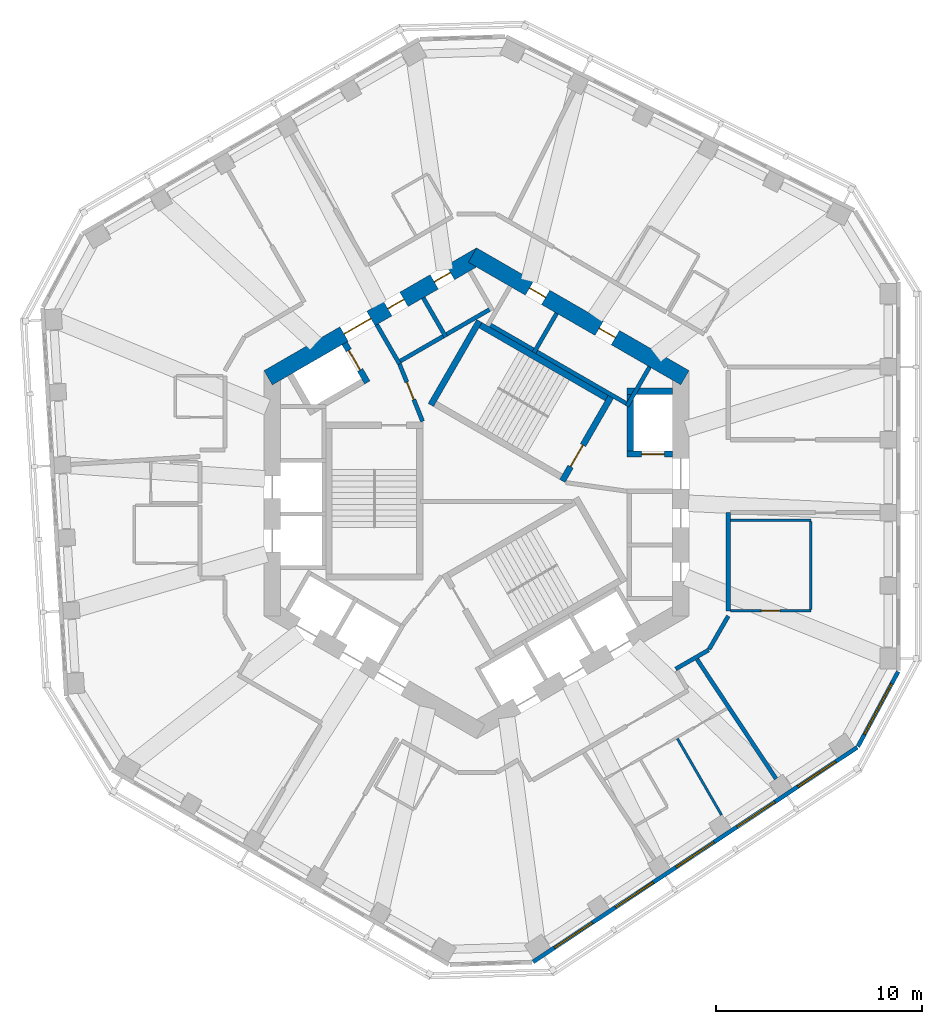
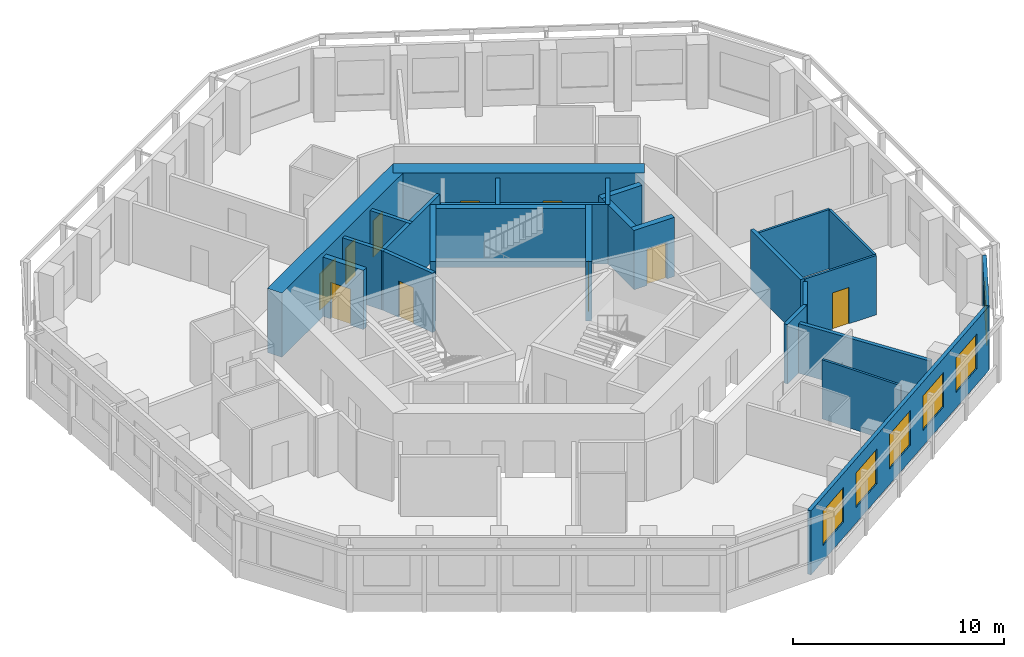
# One storey, part 6 of 11: 26 walls, 10 doors, 6 windows, 16 openings.
"""IFC4 building model written with IfcOpenShell, lengths in metres."""

from ifc_helpers import new_model, si_unit, direction, frame, frame_2d, origin, place, context, subcontext, project, spatial, rectangle, extrude, material, layer, layer_set, type_object, element, fill, save


model = new_model("IFC4")

# Units and contexts
model_context = context("Model", 3, precision=1e-05, world=origin(), true_north=direction((0.0, 1.0)))
body_context = subcontext(model_context, "Body", "Model", "MODEL_VIEW")
ifc_project = project(units=[si_unit("LENGTHUNIT", "METRE"), si_unit("AREAUNIT", "SQUARE_METRE"), si_unit("VOLUMEUNIT", "CUBIC_METRE"), si_unit("PLANEANGLEUNIT", "RADIAN"), si_unit("MASSUNIT", "GRAM", prefix="KILO")], contexts=[model_context])

# Site, building, storey
site_placement = place(None, origin())
site = spatial("IfcSite", under=ifc_project, at=site_placement, CompositionType="ELEMENT")
building_placement = place(site_placement, origin())
building = spatial("IfcBuilding", under=site, at=building_placement, Name="Vanh Sen Convention Tower", CompositionType="ELEMENT")
storey_placement = place(building_placement, frame((0.0, 0.0, 243.89990234375)))
storey = spatial("IfcBuildingStorey", under=building, at=storey_placement, Name="L60", CompositionType="ELEMENT", Elevation=243.89990234375)

# Walls
ifc_material_1 = material(Name="Moisture-resistant gypsum board on steel studs", Category="steel")
ifc_layer_1 = layer(ifc_material_1, 0.1201171875)
ifc_layer_set_1 = layer_set([ifc_layer_1], Name="Moisture-resistant gypsum board on steel studs")
wall_type_1 = type_object("IfcWallType", Name="Bathroom partition 120", PredefinedType="PARTITIONING", material=ifc_layer_set_1)
wall_1_placement = place(storey_placement, frame((11.8701171875, -15.587890625, 0.0), z_axis=(0.0, 0.0, 1.0), x_axis=(-0.49999774064, 0.866026708223, 0.0)))
element("IfcWall", 1, at=wall_1_placement, inside=storey, type_object=wall_type_1, Name="Bathroom partition 120", PredefinedType="PARTITIONING", context=body_context, shape_type="SweptSolid", body=[
    extrude(rectangle(XDim=4.2734375, YDim=0.1201171875, at=frame_2d((2.13671875, 0.0))), origin(), (0.0, 0.0, 1.0), 3.420166015625),
])
wall_2_placement = place(storey_placement, frame((12.300048828125, -1.296630859375, 0.0), z_axis=(0.0, 0.0, 1.0), x_axis=(1.0, 0.0, 0.0)))
element("IfcWall", 2, at=wall_2_placement, inside=storey, type_object=wall_type_1, Name="Bathroom partition 120", PredefinedType="PARTITIONING", context=body_context, shape_type="SweptSolid", body=[
    extrude(rectangle(XDim=3.89990234375, YDim=0.1201171875, at=frame_2d((1.949951171875, 0.0))), origin(), (0.0, 0.0, 1.0), 3.420166015625),
])

# Wall, opening, door
wall_3_placement = place(storey_placement, frame((16.199951171875, -5.69677734375, 0.0), z_axis=(0.0, 0.0, 1.0), x_axis=(-1.0, 0.0, 0.0)))
wall_3 = element("IfcWall", 3, at=wall_3_placement, inside=storey, type_object=wall_type_1, Name="Bathroom partition 120", PredefinedType="PARTITIONING", context=body_context, shape_type="SweptSolid", body=[
    extrude(rectangle(XDim=3.89990234375, YDim=0.1201171875, at=frame_2d((1.949951171875, 0.0))), origin(), (0.0, 0.0, 1.0), 3.420166015625),
])
opening_1_placement = place(wall_3_placement, frame((1.5, 0.0, 0.0)))
opening_1 = element("IfcOpeningElement", 4, at=opening_1_placement, cuts=wall_3, Name="Opening D59119", PredefinedType="OPENING", context=body_context, shape_type="SweptSolid", body=[
    extrude(rectangle(XDim=0.89990234375, YDim=2.10009765625, at=frame_2d((0.449951171875, 1.050048828125))), frame((0.0, 0.070068359375, 0.0), z_axis=(0.0, -1.0, 0.0), x_axis=(1.0, 0.0, 0.0)), (0.0, 0.0, 1.0), 0.14013671875),
])
ifc_material_2 = material(Name="Laminate door in steel frame", Category="steel")
door_type_1 = type_object("IfcDoorType", Name="Room internal door 900", OperationType="SINGLE_SWING_LEFT", PredefinedType="DOOR", material=ifc_material_2)
door_1_placement = place(opening_1_placement, origin())
door_1 = element("IfcDoor", 5, at=door_1_placement, inside=storey, type_object=door_type_1, Name="Internal room door D59119", OperationType="SINGLE_SWING_LEFT", OverallHeight=2.10009765625, OverallWidth=0.89990234375, PredefinedType="DOOR", context=body_context, shape_type="SweptSolid", body=[
    extrude(rectangle(XDim=0.89990234375, YDim=2.10009765625, at=frame_2d((0.449951171875, 1.050048828125))), frame((0.0, 0.02490234375, 0.0), z_axis=(0.0, -1.0, 0.0), x_axis=(1.0, 0.0, 0.0)), (0.0, 0.0, 1.0), 0.050048828125),
])
fill(opening_1, door_1)

# Wall
wall_4_placement = place(storey_placement, frame((16.199951171875, -1.356689453125, 0.0), z_axis=(0.0, 0.0, 1.0), x_axis=(0.0, -1.0, 0.0)))
element("IfcWall", 6, at=wall_4_placement, inside=storey, type_object=wall_type_1, Name="Bathroom partition 120", PredefinedType="PARTITIONING", context=body_context, shape_type="SweptSolid", body=[
    extrude(rectangle(XDim=4.280029296875, YDim=0.1201171875, at=frame_2d((2.14013671875, 0.0))), origin(), (0.0, 0.0, 1.0), 3.420166015625),
])

# Wall, openings, doors
ifc_material_3 = material(Name="Concrete C60/75", Category="concrete")
ifc_layer_2 = layer(ifc_material_3, 0.800048828125)
ifc_layer_set_2 = layer_set([ifc_layer_2], Name="Concrete C60/75")
wall_type_2 = type_object("IfcWallType", Name="Core outer wall 800 C60/75", PredefinedType="SHEAR", material=ifc_layer_set_2)
wall_5_placement = place(storey_placement, frame((10.10009765625, 5.600341796875, 0.0), z_axis=(0.0, 0.0, 1.0), x_axis=(-0.866023897231, 0.500002609418, 0.0)))
wall_5 = element("IfcWall", 7, at=wall_5_placement, inside=storey, type_object=wall_type_2, Name="Core wall face NE L60", PredefinedType="SHEAR", context=body_context, shape_type="SweptSolid", body=[
    extrude(rectangle(XDim=11.8935546875, YDim=0.800048828125, at=frame_2d((5.94677734375, 0.0))), origin(), (0.0, 0.0, 1.0), 3.7001953125),
])
opening_2_placement = place(wall_5_placement, frame((3.896728515625, 0.0, 0.0)))
opening_2 = element("IfcOpeningElement", 8, at=opening_2_placement, cuts=wall_5, Name="Opening D59011", PredefinedType="OPENING", context=body_context, shape_type="SweptSolid", body=[
    extrude(rectangle(XDim=0.89990234375, YDim=2.10009765625, at=frame_2d((0.449951171875, 1.050048828125))), frame((0.0, 0.409912109375, 0.0), z_axis=(0.0, -1.0, 0.0), x_axis=(1.0, 0.0, 0.0)), (0.0, 0.0, 1.0), 0.820068359375),
])
opening_3_placement = place(wall_5_placement, frame((7.796630859375, 0.0, 0.0)))
opening_3 = element("IfcOpeningElement", 9, at=opening_3_placement, cuts=wall_5, Name="Opening D59012", PredefinedType="OPENING", context=body_context, shape_type="SweptSolid", body=[
    extrude(rectangle(XDim=0.89990234375, YDim=2.10009765625, at=frame_2d((0.449951171875, 1.050048828125))), frame((0.0, 0.409912109375, 0.0), z_axis=(0.0, -1.0, 0.0), x_axis=(1.0, 0.0, 0.0)), (0.0, 0.0, 1.0), 0.820068359375),
])
ifc_material_4 = material(Name="Steel S355", Category="steel")
door_type_2 = type_object("IfcDoorType", Name="Plant door 900", OperationType="SINGLE_SWING_LEFT", PredefinedType="DOOR", material=ifc_material_4)
door_2_placement = place(opening_2_placement, origin())
door_2 = element("IfcDoor", 10, at=door_2_placement, inside=storey, type_object=door_type_2, Name="Plant door D59011", OperationType="SINGLE_SWING_LEFT", OverallHeight=2.10009765625, OverallWidth=0.89990234375, PredefinedType="DOOR", context=body_context, shape_type="SweptSolid", body=[
    extrude(rectangle(XDim=0.89990234375, YDim=2.10009765625, at=frame_2d((0.449951171875, 1.050048828125))), frame((0.0, 0.02490234375, 0.0), z_axis=(0.0, -1.0, 0.0), x_axis=(1.0, 0.0, 0.0)), (0.0, 0.0, 1.0), 0.050048828125),
])
fill(opening_2, door_2)
door_3_placement = place(opening_3_placement, origin())
door_3 = element("IfcDoor", 11, at=door_3_placement, inside=storey, type_object=door_type_2, Name="Plant door D59012", OperationType="SINGLE_SWING_LEFT", OverallHeight=2.10009765625, OverallWidth=0.89990234375, PredefinedType="DOOR", context=body_context, shape_type="SweptSolid", body=[
    extrude(rectangle(XDim=0.89990234375, YDim=2.10009765625, at=frame_2d((0.449951171875, 1.050048828125))), frame((0.0, 0.02490234375, 0.0), z_axis=(0.0, -1.0, 0.0), x_axis=(1.0, 0.0, 0.0)), (0.0, 0.0, 1.0), 0.050048828125),
])
fill(opening_3, door_3)

wall_6_placement = place(storey_placement, frame((0.199951171875, 11.547119140625, 0.0), z_axis=(0.0, 0.0, 1.0), x_axis=(-0.866023897231, -0.500002609418, 0.0)))
wall_6 = element("IfcWall", 12, at=wall_6_placement, inside=storey, type_object=wall_type_2, Name="Core wall face NW L60", PredefinedType="SHEAR", context=body_context, shape_type="SweptSolid", body=[
    extrude(rectangle(XDim=11.8935546875, YDim=0.800048828125, at=frame_2d((5.94677734375, 0.0))), origin(), (0.0, 0.0, 1.0), 3.7001953125),
])
opening_4_placement = place(wall_6_placement, frame((6.146728515625, 0.0, 0.0)))
opening_4 = element("IfcOpeningElement", 13, at=opening_4_placement, cuts=wall_6, Name="Opening D59002", PredefinedType="OPENING", context=body_context, shape_type="SweptSolid", body=[
    extrude(rectangle(XDim=1.5, YDim=2.10009765625, at=frame_2d((0.75, 1.050048828125))), frame((0.0, 0.409912109375, 0.0), z_axis=(0.0, -1.0, 0.0), x_axis=(1.0, 0.0, 0.0)), (0.0, 0.0, 1.0), 0.820068359375),
])
opening_5_placement = place(wall_6_placement, frame((1.69677734375, 0.0, 0.0)))
opening_5 = element("IfcOpeningElement", 14, at=opening_5_placement, cuts=wall_6, Name="Opening D59013", PredefinedType="OPENING", context=body_context, shape_type="SweptSolid", body=[
    extrude(rectangle(XDim=0.89990234375, YDim=2.10009765625, at=frame_2d((0.449951171875, 1.050048828125))), frame((0.0, 0.409912109375, 0.0), z_axis=(0.0, -1.0, 0.0), x_axis=(1.0, 0.0, 0.0)), (0.0, 0.0, 1.0), 0.820068359375),
])
opening_6_placement = place(wall_6_placement, frame((4.296630859375, 0.0, 0.0)))
opening_6 = element("IfcOpeningElement", 15, at=opening_6_placement, cuts=wall_6, Name="Opening D59014", PredefinedType="OPENING", context=body_context, shape_type="SweptSolid", body=[
    extrude(rectangle(XDim=0.89990234375, YDim=2.10009765625, at=frame_2d((0.449951171875, 1.050048828125))), frame((0.0, 0.409912109375, 0.0), z_axis=(0.0, -1.0, 0.0), x_axis=(1.0, 0.0, 0.0)), (0.0, 0.0, 1.0), 0.820068359375),
])
door_4_placement = place(opening_5_placement, origin())
door_4 = element("IfcDoor", 16, at=door_4_placement, inside=storey, type_object=door_type_2, Name="Plant door D59013", OperationType="SINGLE_SWING_LEFT", OverallHeight=2.10009765625, OverallWidth=0.89990234375, PredefinedType="DOOR", context=body_context, shape_type="SweptSolid", body=[
    extrude(rectangle(XDim=0.89990234375, YDim=2.10009765625, at=frame_2d((0.449951171875, 1.050048828125))), frame((0.0, 0.02490234375, 0.0), z_axis=(0.0, -1.0, 0.0), x_axis=(1.0, 0.0, 0.0)), (0.0, 0.0, 1.0), 0.050048828125),
])
fill(opening_5, door_4)
door_5_placement = place(opening_6_placement, origin())
door_5 = element("IfcDoor", 17, at=door_5_placement, inside=storey, type_object=door_type_2, Name="Plant door D59014", OperationType="SINGLE_SWING_LEFT", OverallHeight=2.10009765625, OverallWidth=0.89990234375, PredefinedType="DOOR", context=body_context, shape_type="SweptSolid", body=[
    extrude(rectangle(XDim=0.89990234375, YDim=2.10009765625, at=frame_2d((0.449951171875, 1.050048828125))), frame((0.0, 0.02490234375, 0.0), z_axis=(0.0, -1.0, 0.0), x_axis=(1.0, 0.0, 0.0)), (0.0, 0.0, 1.0), 0.050048828125),
])
fill(opening_6, door_5)
door_type_3 = type_object("IfcDoorType", Name="Stair lobby door 1500", OperationType="DOUBLE_DOOR_SINGLE_SWING", PredefinedType="DOOR", material=ifc_material_4)
door_6_placement = place(opening_4_placement, origin())
door_6 = element("IfcDoor", 18, at=door_6_placement, inside=storey, type_object=door_type_3, Name="Stair lobby door D59002", OperationType="DOUBLE_DOOR_SINGLE_SWING", OverallHeight=2.10009765625, OverallWidth=1.5, PredefinedType="DOOR", context=body_context, shape_type="SweptSolid", body=[
    extrude(rectangle(XDim=1.5, YDim=2.10009765625, at=frame_2d((0.75, 1.050048828125))), frame((0.0, 0.02490234375, 0.0), z_axis=(0.0, -1.0, 0.0), x_axis=(1.0, 0.0, 0.0)), (0.0, 0.0, 1.0), 0.050048828125),
])
fill(opening_4, door_6)

# Walls
ifc_material_5 = material(Name="Gypsum board on steel studs with mineral wool", Category="steel")
ifc_layer_3 = layer(ifc_material_5, 0.199951171875)
ifc_layer_set_3 = layer_set([ifc_layer_3], Name="Gypsum board on steel studs with mineral wool")
wall_type_3 = type_object("IfcWallType", Name="Corridor partition wall 200", PredefinedType="PARTITIONING", material=ifc_layer_set_3)
wall_7_placement = place(storey_placement, frame((9.651611328125, -8.514892578125, 0.0), z_axis=(0.0, 0.0, 1.0), x_axis=(0.866020375458, 0.500008709215, 0.0)))
element("IfcWall", 19, at=wall_7_placement, inside=storey, type_object=wall_type_3, Name="Corridor partition wall 200", PredefinedType="PARTITIONING", context=body_context, shape_type="SweptSolid", body=[
    extrude(rectangle(XDim=1.845703125, YDim=0.199951171875, at=frame_2d((0.9228515625, 0.0))), origin(), (0.0, 0.0, 1.0), 3.420166015625),
])
wall_8_placement = place(storey_placement, frame((11.27001953125, -7.5576171875, 0.0), z_axis=(0.0, 0.0, 1.0), x_axis=(0.499964847546, 0.866045698112, 0.0)))
element("IfcWall", 20, at=wall_8_placement, inside=storey, type_object=wall_type_3, Name="Corridor partition wall 200", PredefinedType="PARTITIONING", context=body_context, shape_type="SweptSolid", body=[
    extrude(rectangle(XDim=1.860107421875, YDim=0.199951171875, at=frame_2d((0.93017578125, 0.0))), origin(), (0.0, 0.0, 1.0), 3.420166015625),
])
wall_9_placement = place(storey_placement, frame((12.199951171875, -5.69677734375, 0.0), z_axis=(0.0, 0.0, 1.0), x_axis=(0.0, 1.0, 0.0)))
element("IfcWall", 21, at=wall_9_placement, inside=storey, type_object=wall_type_3, Name="Corridor partition wall 200", PredefinedType="PARTITIONING", context=body_context, shape_type="SweptSolid", body=[
    extrude(rectangle(XDim=4.76123046875, YDim=0.199951171875, at=frame_2d((2.380615234375, 0.0))), origin(), (0.0, 0.0, 1.0), 3.420166015625),
])

# Wall, openings, windows
ifc_material_6 = material(Name="Insulated lightweight infill wall")
ifc_layer_4 = layer(ifc_material_6, 0.199951171875)
ifc_layer_set_4 = layer_set([ifc_layer_4], Name="Insulated lightweight infill wall")
wall_type_4 = type_object("IfcWallType", Name="External wall 200", PredefinedType="STANDARD", material=ifc_layer_set_4)
wall_10_placement = place(storey_placement, frame((2.739013671875, -22.7109375, 0.0), z_axis=(0.0, 0.0, 1.0), x_axis=(0.833885723098, 0.551937134838, 0.0)))
wall_10 = element("IfcWall", 22, at=wall_10_placement, inside=storey, type_object=wall_type_4, Name="External wall SE L60", PredefinedType="STANDARD", context=body_context, shape_type="SweptSolid", body=[
    extrude(rectangle(XDim=18.84130859375, YDim=0.199951171875, at=frame_2d((9.420654296875, 0.0))), origin(), (0.0, 0.0, 1.0), 3.7001953125),
])
opening_7_placement = place(wall_10_placement, frame((1.25244140625, 0.0, 0.89990234375)))
opening_7 = element("IfcOpeningElement", 23, at=opening_7_placement, cuts=wall_10, Name="Opening WO3-SE1", PredefinedType="OPENING", context=body_context, shape_type="SweptSolid", body=[
    extrude(rectangle(XDim=2.199951171875, YDim=2.0, at=frame_2d((1.10009765625, 1.0))), frame((0.0, 0.10986328125, 0.0), z_axis=(0.0, -1.0, 0.0), x_axis=(1.0, 0.0, 0.0)), (0.0, 0.0, 1.0), 0.219970703125),
])
opening_8_placement = place(wall_10_placement, frame((4.7861328125, 0.0, 0.89990234375)))
opening_8 = element("IfcOpeningElement", 24, at=opening_8_placement, cuts=wall_10, Name="Opening WO3-SE2", PredefinedType="OPENING", context=body_context, shape_type="SweptSolid", body=[
    extrude(rectangle(XDim=2.199951171875, YDim=2.0, at=frame_2d((1.10009765625, 1.0))), frame((0.0, 0.10986328125, 0.0), z_axis=(0.0, -1.0, 0.0), x_axis=(1.0, 0.0, 0.0)), (0.0, 0.0, 1.0), 0.219970703125),
])
opening_9_placement = place(wall_10_placement, frame((8.31982421875, 0.0, 0.89990234375)))
opening_9 = element("IfcOpeningElement", 25, at=opening_9_placement, cuts=wall_10, Name="Opening WO3-SE3", PredefinedType="OPENING", context=body_context, shape_type="SweptSolid", body=[
    extrude(rectangle(XDim=2.199951171875, YDim=2.0, at=frame_2d((1.10009765625, 1.0))), frame((0.0, 0.10986328125, 0.0), z_axis=(0.0, -1.0, 0.0), x_axis=(1.0, 0.0, 0.0)), (0.0, 0.0, 1.0), 0.219970703125),
])
opening_10_placement = place(wall_10_placement, frame((11.853515625, 0.0, 0.89990234375)))
opening_10 = element("IfcOpeningElement", 26, at=opening_10_placement, cuts=wall_10, Name="Opening WO3-SE4", PredefinedType="OPENING", context=body_context, shape_type="SweptSolid", body=[
    extrude(rectangle(XDim=2.199951171875, YDim=2.0, at=frame_2d((1.10009765625, 1.0))), frame((0.0, 0.10986328125, 0.0), z_axis=(0.0, -1.0, 0.0), x_axis=(1.0, 0.0, 0.0)), (0.0, 0.0, 1.0), 0.219970703125),
])
opening_11_placement = place(wall_10_placement, frame((15.386962890625, 0.0, 0.89990234375)))
opening_11 = element("IfcOpeningElement", 27, at=opening_11_placement, cuts=wall_10, Name="Opening WO3-SE5", PredefinedType="OPENING", context=body_context, shape_type="SweptSolid", body=[
    extrude(rectangle(XDim=2.199951171875, YDim=2.0, at=frame_2d((1.10009765625, 1.0))), frame((0.0, 0.10986328125, 0.0), z_axis=(0.0, -1.0, 0.0), x_axis=(1.0, 0.0, 0.0)), (0.0, 0.0, 1.0), 0.219970703125),
])
ifc_material_7 = material(Name="Aluminium frame with clear low-emissivity glass", Category="aluminium")
window_type_1 = type_object("IfcWindowType", Name="Office window 2200 x 2000", PartitioningType="SINGLE_PANEL", PredefinedType="WINDOW", material=ifc_material_7)
window_1_placement = place(opening_7_placement, origin())
window_1 = element("IfcWindow", 28, at=window_1_placement, inside=storey, type_object=window_type_1, Name="Window WO3-SE1", OverallHeight=2.0, OverallWidth=2.199951171875, PartitioningType="SINGLE_PANEL", PredefinedType="WINDOW", context=body_context, shape_type="SweptSolid", body=[
    extrude(rectangle(XDim=2.199951171875, YDim=2.0, at=frame_2d((1.10009765625, 1.0))), frame((0.0, 0.030029296875, 0.0), z_axis=(0.0, -1.0, 0.0), x_axis=(1.0, 0.0, 0.0)), (0.0, 0.0, 1.0), 0.06005859375),
])
fill(opening_7, window_1)
window_2_placement = place(opening_8_placement, origin())
window_2 = element("IfcWindow", 29, at=window_2_placement, inside=storey, type_object=window_type_1, Name="Window WO3-SE2", OverallHeight=2.0, OverallWidth=2.199951171875, PartitioningType="SINGLE_PANEL", PredefinedType="WINDOW", context=body_context, shape_type="SweptSolid", body=[
    extrude(rectangle(XDim=2.199951171875, YDim=2.0, at=frame_2d((1.10009765625, 1.0))), frame((0.0, 0.030029296875, 0.0), z_axis=(0.0, -1.0, 0.0), x_axis=(1.0, 0.0, 0.0)), (0.0, 0.0, 1.0), 0.06005859375),
])
fill(opening_8, window_2)
window_3_placement = place(opening_9_placement, origin())
window_3 = element("IfcWindow", 30, at=window_3_placement, inside=storey, type_object=window_type_1, Name="Window WO3-SE3", OverallHeight=2.0, OverallWidth=2.199951171875, PartitioningType="SINGLE_PANEL", PredefinedType="WINDOW", context=body_context, shape_type="SweptSolid", body=[
    extrude(rectangle(XDim=2.199951171875, YDim=2.0, at=frame_2d((1.10009765625, 1.0))), frame((0.0, 0.030029296875, 0.0), z_axis=(0.0, -1.0, 0.0), x_axis=(1.0, 0.0, 0.0)), (0.0, 0.0, 1.0), 0.06005859375),
])
fill(opening_9, window_3)
window_4_placement = place(opening_10_placement, origin())
window_4 = element("IfcWindow", 31, at=window_4_placement, inside=storey, type_object=window_type_1, Name="Window WO3-SE4", OverallHeight=2.0, OverallWidth=2.199951171875, PartitioningType="SINGLE_PANEL", PredefinedType="WINDOW", context=body_context, shape_type="SweptSolid", body=[
    extrude(rectangle(XDim=2.199951171875, YDim=2.0, at=frame_2d((1.10009765625, 1.0))), frame((0.0, 0.030029296875, 0.0), z_axis=(0.0, -1.0, 0.0), x_axis=(1.0, 0.0, 0.0)), (0.0, 0.0, 1.0), 0.06005859375),
])
fill(opening_10, window_4)
window_5_placement = place(opening_11_placement, origin())
window_5 = element("IfcWindow", 32, at=window_5_placement, inside=storey, type_object=window_type_1, Name="Window WO3-SE5", OverallHeight=2.0, OverallWidth=2.199951171875, PartitioningType="SINGLE_PANEL", PredefinedType="WINDOW", context=body_context, shape_type="SweptSolid", body=[
    extrude(rectangle(XDim=2.199951171875, YDim=2.0, at=frame_2d((1.10009765625, 1.0))), frame((0.0, 0.030029296875, 0.0), z_axis=(0.0, -1.0, 0.0), x_axis=(1.0, 0.0, 0.0)), (0.0, 0.0, 1.0), 0.06005859375),
])
fill(opening_11, window_5)

# Wall, opening, window
wall_11_placement = place(storey_placement, frame((18.4833984375, -12.275634765625, 0.0), z_axis=(0.0, 0.0, 1.0), x_axis=(0.473267675015, 0.880918672629, 0.0)))
wall_11 = element("IfcWall", 33, at=wall_11_placement, inside=storey, type_object=wall_type_4, Name="External wall CH6 L60", PredefinedType="STANDARD", context=body_context, shape_type="SweptSolid", body=[
    extrude(rectangle(XDim=4.1298828125, YDim=0.199951171875, at=frame_2d((2.06494140625, 0.0))), origin(), (0.0, 0.0, 1.0), 3.7001953125),
])
opening_12_placement = place(wall_11_placement, frame((0.6650390625, 0.0, 0.89990234375)))
opening_12 = element("IfcOpeningElement", 34, at=opening_12_placement, cuts=wall_11, Name="Opening WO4-CH61", PredefinedType="OPENING", context=body_context, shape_type="SweptSolid", body=[
    extrude(rectangle(XDim=2.800048828125, YDim=2.0, at=frame_2d((1.39990234375, 1.0))), frame((0.0, 0.10986328125, 0.0), z_axis=(0.0, -1.0, 0.0), x_axis=(1.0, 0.0, 0.0)), (0.0, 0.0, 1.0), 0.219970703125),
])
window_type_2 = type_object("IfcWindowType", Name="Office window 2800 x 2000", PartitioningType="SINGLE_PANEL", PredefinedType="WINDOW", material=ifc_material_7)
window_6_placement = place(opening_12_placement, origin())
window_6 = element("IfcWindow", 35, at=window_6_placement, inside=storey, type_object=window_type_2, Name="Window WO4-CH61", OverallHeight=2.0, OverallWidth=2.800048828125, PartitioningType="SINGLE_PANEL", PredefinedType="WINDOW", context=body_context, shape_type="SweptSolid", body=[
    extrude(rectangle(XDim=2.800048828125, YDim=2.0, at=frame_2d((1.39990234375, 1.0))), frame((0.0, 0.030029296875, 0.0), z_axis=(0.0, -1.0, 0.0), x_axis=(1.0, 0.0, 0.0)), (0.0, 0.0, 1.0), 0.06005859375),
])
fill(opening_12, window_6)

# Wall, opening, door
ifc_layer_5 = layer(ifc_material_3, 0.300048828125)
ifc_layer_set_5 = layer_set([ifc_layer_5], Name="Concrete C60/75")
wall_type_5 = type_object("IfcWallType", Name="Fire-fighting lift shaft wall 300", PredefinedType="SHEAR", material=ifc_layer_set_5)
wall_12_placement = place(storey_placement, frame((7.300048828125, 1.89990234375, 0.0), z_axis=(0.0, 0.0, 1.0), x_axis=(1.0, 0.0, 0.0)))
wall_12 = element("IfcWall", 36, at=wall_12_placement, inside=storey, type_object=wall_type_5, Name="Fire-fighting lift shaft wall L60", PredefinedType="SHEAR", context=body_context, shape_type="SweptSolid", body=[
    extrude(rectangle(XDim=2.199951171875, YDim=0.300048828125, at=frame_2d((1.10009765625, 0.0))), origin(), (0.0, 0.0, 1.0), 3.420166015625),
])
opening_13_placement = place(wall_12_placement, frame((0.699951171875, 0.0, 0.0)))
opening_13 = element("IfcOpeningElement", 37, at=opening_13_placement, cuts=wall_12, Name="Opening LD-FF1", PredefinedType="OPENING", context=body_context, shape_type="SweptSolid", body=[
    extrude(rectangle(XDim=1.10009765625, YDim=2.10009765625, at=frame_2d((0.550048828125, 1.050048828125))), frame((0.0, 0.159912109375, 0.0), z_axis=(0.0, -1.0, 0.0), x_axis=(1.0, 0.0, 0.0)), (0.0, 0.0, 1.0), 0.320068359375),
])
ifc_material_8 = material(Name="Stainless steel", Category="steel")
door_type_4 = type_object("IfcDoorType", Name="Fire-fighting lift landing door 1100", OperationType="DOUBLE_DOOR_SLIDING", PredefinedType="DOOR", material=ifc_material_8)
door_7_placement = place(opening_13_placement, origin())
door_7 = element("IfcDoor", 38, at=door_7_placement, inside=storey, type_object=door_type_4, Name="Lift FF1 landing door LD-FF1", OperationType="DOUBLE_DOOR_SLIDING", OverallHeight=2.10009765625, OverallWidth=1.10009765625, PredefinedType="DOOR", context=body_context, shape_type="SweptSolid", body=[
    extrude(rectangle(XDim=1.10009765625, YDim=2.10009765625, at=frame_2d((0.550048828125, 1.050048828125))), frame((0.0, 0.02490234375, 0.0), z_axis=(0.0, -1.0, 0.0), x_axis=(1.0, 0.0, 0.0)), (0.0, 0.0, 1.0), 0.050048828125),
])
fill(opening_13, door_7)

# Walls
wall_13_placement = place(storey_placement, frame((7.449951171875, 1.75, 0.0), z_axis=(0.0, 0.0, 1.0), x_axis=(0.0, 1.0, 0.0)))
element("IfcWall", 39, at=wall_13_placement, inside=storey, type_object=wall_type_5, Name="Fire-fighting lift shaft wall L60", PredefinedType="SHEAR", context=body_context, shape_type="SweptSolid", body=[
    extrude(rectangle(XDim=3.35009765625, YDim=0.300048828125, at=frame_2d((1.675048828125, 0.0))), origin(), (0.0, 0.0, 1.0), 3.420166015625),
])
wall_14_placement = place(storey_placement, frame((7.300048828125, 4.949951171875, 0.0), z_axis=(0.0, 0.0, 1.0), x_axis=(1.0, 0.0, 0.0)))
element("IfcWall", 40, at=wall_14_placement, inside=storey, type_object=wall_type_5, Name="Fire-fighting lift shaft wall L60", PredefinedType="SHEAR", context=body_context, shape_type="SweptSolid", body=[
    extrude(rectangle(XDim=2.199951171875, YDim=0.300048828125, at=frame_2d((1.10009765625, 0.0))), origin(), (0.0, 0.0, 1.0), 3.420166015625),
])

# Wall, opening, door
wall_15_placement = place(storey_placement, frame((-5.29541015625, 5.3720703125, 0.0), z_axis=(0.0, 0.0, 1.0), x_axis=(-0.500077893725, 0.86598042715, 0.0)))
wall_15 = element("IfcWall", 41, at=wall_15_placement, inside=storey, type_object=wall_type_5, Name="Fire-fighting lift shaft wall L60", PredefinedType="SHEAR", context=body_context, shape_type="SweptSolid", body=[
    extrude(rectangle(XDim=2.199951171875, YDim=0.300048828125, at=frame_2d((1.10009765625, 0.0))), origin(), (0.0, 0.0, 1.0), 3.420166015625),
])
opening_14_placement = place(wall_15_placement, frame((0.699951171875, 0.0, 0.0)))
opening_14 = element("IfcOpeningElement", 42, at=opening_14_placement, cuts=wall_15, Name="Opening LD-FF2", PredefinedType="OPENING", context=body_context, shape_type="SweptSolid", body=[
    extrude(rectangle(XDim=1.10009765625, YDim=2.10009765625, at=frame_2d((0.550048828125, 1.050048828125))), frame((0.0, 0.159912109375, 0.0), z_axis=(0.0, -1.0, 0.0), x_axis=(1.0, 0.0, 0.0)), (0.0, 0.0, 1.0), 0.320068359375),
])
door_8_placement = place(opening_14_placement, origin())
door_8 = element("IfcDoor", 43, at=door_8_placement, inside=storey, type_object=door_type_4, Name="Lift FF2 landing door LD-FF2", OperationType="DOUBLE_DOOR_SLIDING", OverallHeight=2.10009765625, OverallWidth=1.10009765625, PredefinedType="DOOR", context=body_context, shape_type="SweptSolid", body=[
    extrude(rectangle(XDim=1.10009765625, YDim=2.10009765625, at=frame_2d((0.550048828125, 1.050048828125))), frame((0.0, 0.02490234375, 0.0), z_axis=(0.0, -1.0, 0.0), x_axis=(1.0, 0.0, 0.0)), (0.0, 0.0, 1.0), 0.050048828125),
])
fill(opening_14, door_8)

# Walls
ifc_material_9 = material(Name="Concrete C40/50", Category="concrete")
ifc_layer_6 = layer(ifc_material_9, 0.199951171875)
ifc_layer_set_6 = layer_set([ifc_layer_6], Name="Concrete C40/50")
wall_type_6 = type_object("IfcWallType", Name="Lift shaft wall 200", PredefinedType="PARTITIONING", material=ifc_layer_set_6)
wall_16_placement = place(storey_placement, frame((7.423828125, 4.258544921875, 0.0), z_axis=(0.0, 0.0, 1.0), x_axis=(-0.866026010844, 0.49999894854, 0.0)))
element("IfcWall", 44, at=wall_16_placement, inside=storey, type_object=wall_type_6, Name="Lift shaft wall L60", PredefinedType="PARTITIONING", context=body_context, shape_type="SweptSolid", body=[
    extrude(rectangle(XDim=8.0, YDim=0.199951171875, at=frame_2d((4.0, 0.0))), origin(), (0.0, 0.0, 1.0), 3.420166015625),
])
for number, where, z_axis, x_axis, name in (
    (45, (7.287353515625, 4.221923828125, 0.0), (0.0, 0.0, 1.0), (0.499946605688, 0.86605622881, 0.0), "Lift shaft wall L60"),
    (46, (2.783935546875, 6.822021484375, 0.0), (0.0, 0.0, 1.0), (0.50002983664, 0.866008176907, 0.0), "Lift shaft wall L60"),
):
    element("IfcWall", number, at=place(storey_placement, frame(where, z_axis=z_axis, x_axis=x_axis)), inside=storey, type_object=wall_type_6, Name=name, PredefinedType="PARTITIONING", context=body_context, shape_type="SweptSolid", body=[
        extrude(rectangle(XDim=2.199951171875, YDim=0.199951171875, at=frame_2d((1.10009765625, 0.0))), origin(), (0.0, 0.0, 1.0), 3.420166015625),
    ])
wall_17_placement = place(storey_placement, frame((0.80322265625, 9.008544921875, 0.0), z_axis=(0.0, 0.0, 1.0), x_axis=(-0.866028230842, -0.499995103361, 0.0)))
element("IfcWall", 47, at=wall_17_placement, inside=storey, type_object=wall_type_6, Name="Lift shaft wall L60", PredefinedType="PARTITIONING", context=body_context, shape_type="SweptSolid", body=[
    extrude(rectangle(XDim=5.39990234375, YDim=0.199951171875, at=frame_2d((2.699951171875, 0.0))), origin(), (0.0, 0.0, 1.0), 3.420166015625),
])
for number, where, z_axis, x_axis, name in (
    (48, (-1.48486328125, 7.572021484375, 0.0), (0.0, 0.0, 1.0), (-0.50002983664, 0.866008176907, 0.0), "Lift shaft wall L60"),
    (49, (-3.736572265625, 6.27197265625, 0.0), (0.0, 0.0, 1.0), (-0.50002983664, 0.866008176907, 0.0), "Lift shaft wall L60"),
):
    element("IfcWall", number, at=place(storey_placement, frame(where, z_axis=z_axis, x_axis=x_axis)), inside=storey, type_object=wall_type_6, Name=name, PredefinedType="PARTITIONING", context=body_context, shape_type="SweptSolid", body=[
        extrude(rectangle(XDim=2.199951171875, YDim=0.199951171875, at=frame_2d((1.10009765625, 0.0))), origin(), (0.0, 0.0, 1.0), 3.420166015625),
    ])

# Wall, opening, door
ifc_layer_7 = layer(ifc_material_9, 0.199951171875)
ifc_layer_set_7 = layer_set([ifc_layer_7], Name="Concrete C40/50")
wall_type_7 = type_object("IfcWallType", Name="Stair lobby wall 200", PredefinedType="PARTITIONING", material=ifc_layer_set_7)
wall_18_placement = place(storey_placement, frame((-2.614990234375, 3.487060546875, 0.0), z_axis=(0.0, 0.0, 1.0), x_axis=(-0.373576831041, 0.92759924068, 0.0)))
wall_18 = element("IfcWall", 50, at=wall_18_placement, inside=storey, type_object=wall_type_7, Name="Stair lobby wall L60", PredefinedType="PARTITIONING", context=body_context, shape_type="SweptSolid", body=[
    extrude(rectangle(XDim=3.002197265625, YDim=0.199951171875, at=frame_2d((1.5009765625, 0.0))), origin(), (0.0, 0.0, 1.0), 3.420166015625),
])
opening_15_placement = place(wall_18_placement, frame((1.14990234375, 0.0, 0.0)))
opening_15 = element("IfcOpeningElement", 51, at=opening_15_placement, cuts=wall_18, Name="Opening D59007", PredefinedType="OPENING", context=body_context, shape_type="SweptSolid", body=[
    extrude(rectangle(XDim=0.89990234375, YDim=2.10009765625, at=frame_2d((0.449951171875, 1.050048828125))), frame((0.0, 0.10986328125, 0.0), z_axis=(0.0, -1.0, 0.0), x_axis=(1.0, 0.0, 0.0)), (0.0, 0.0, 1.0), 0.219970703125),
])
door_9_placement = place(opening_15_placement, origin())
door_9 = element("IfcDoor", 52, at=door_9_placement, inside=storey, type_object=door_type_2, Name="Plant door D59007", OperationType="SINGLE_SWING_LEFT", OverallHeight=2.10009765625, OverallWidth=0.89990234375, PredefinedType="DOOR", context=body_context, shape_type="SweptSolid", body=[
    extrude(rectangle(XDim=0.89990234375, YDim=2.10009765625, at=frame_2d((0.449951171875, 1.050048828125))), frame((0.0, 0.02490234375, 0.0), z_axis=(0.0, -1.0, 0.0), x_axis=(1.0, 0.0, 0.0)), (0.0, 0.0, 1.0), 0.050048828125),
])
fill(opening_15, door_9)

ifc_layer_8 = layer(ifc_material_3, 0.300048828125)
ifc_layer_set_8 = layer_set([ifc_layer_8], Name="Concrete C60/75")
wall_type_8 = type_object("IfcWallType", Name="Stair wall 300", PredefinedType="SHEAR", material=ifc_layer_set_8)
wall_19_placement = place(storey_placement, frame((4.157958984375, 0.601806640625, 0.0), z_axis=(0.0, 0.0, 1.0), x_axis=(0.499977259774, 0.866038532462, 0.0)))
wall_19 = element("IfcWall", 53, at=wall_19_placement, inside=storey, type_object=wall_type_8, Name="Stair wall L60", PredefinedType="SHEAR", context=body_context, shape_type="SweptSolid", body=[
    extrude(rectangle(XDim=4.699951171875, YDim=0.300048828125, at=frame_2d((2.35009765625, 0.0))), origin(), (0.0, 0.0, 1.0), 3.420166015625),
])
opening_16_placement = place(wall_19_placement, frame((0.800048828125, 0.0, 0.0)))
opening_16 = element("IfcOpeningElement", 54, at=opening_16_placement, cuts=wall_19, Name="Opening D59004", PredefinedType="OPENING", context=body_context, shape_type="SweptSolid", body=[
    extrude(rectangle(XDim=1.199951171875, YDim=2.10009765625, at=frame_2d((0.60009765625, 1.050048828125))), frame((0.0, 0.159912109375, 0.0), z_axis=(0.0, -1.0, 0.0), x_axis=(1.0, 0.0, 0.0)), (0.0, 0.0, 1.0), 0.320068359375),
])
door_type_5 = type_object("IfcDoorType", Name="Stair door 1200", OperationType="SINGLE_SWING_RIGHT", PredefinedType="DOOR", material=ifc_material_4)
door_10_placement = place(opening_16_placement, origin())
door_10 = element("IfcDoor", 55, at=door_10_placement, inside=storey, type_object=door_type_5, Name="Stair ST1 door D59004", OperationType="SINGLE_SWING_RIGHT", OverallHeight=2.10009765625, OverallWidth=1.199951171875, PredefinedType="DOOR", context=body_context, shape_type="SweptSolid", body=[
    extrude(rectangle(XDim=1.199951171875, YDim=2.10009765625, at=frame_2d((0.60009765625, 1.050048828125))), frame((0.0, 0.02490234375, 0.0), z_axis=(0.0, -1.0, 0.0), x_axis=(1.0, 0.0, 0.0)), (0.0, 0.0, 1.0), 0.050048828125),
])
fill(opening_16, door_10)

# Walls
wall_20_placement = place(storey_placement, frame((-2.216064453125, 4.28173828125, 0.0), z_axis=(0.0, 0.0, 1.0), x_axis=(0.499977259774, 0.866038532462, 0.0)))
element("IfcWall", 56, at=wall_20_placement, inside=storey, type_object=wall_type_8, Name="Stair wall L60", PredefinedType="SHEAR", context=body_context, shape_type="SweptSolid", body=[
    extrude(rectangle(XDim=4.699951171875, YDim=0.300048828125, at=frame_2d((2.35009765625, 0.0))), origin(), (0.0, 0.0, 1.0), 3.420166015625),
])
wall_21_placement = place(storey_placement, frame((6.302978515625, 4.6171875, 0.0), z_axis=(0.0, 0.0, 1.0), x_axis=(-0.866027801685, 0.499995846692, 0.0)))
element("IfcWall", 57, at=wall_21_placement, inside=storey, type_object=wall_type_8, Name="Stair wall L60", PredefinedType="SHEAR", context=body_context, shape_type="SweptSolid", body=[
    extrude(rectangle(XDim=7.06005859375, YDim=0.300048828125, at=frame_2d((3.530029296875, 0.0))), origin(), (0.0, 0.0, 1.0), 3.420166015625),
])
ifc_layer_9 = layer(ifc_material_5, 0.199951171875)
ifc_layer_set_9 = layer_set([ifc_layer_9], Name="Gypsum board on steel studs with mineral wool")
wall_type_9 = type_object("IfcWallType", Name="Tenant suite wall 200", PredefinedType="PARTITIONING", material=ifc_layer_set_9)
wall_22_placement = place(storey_placement, frame((14.51708984375, -13.835693359375, 0.0), z_axis=(0.0, 0.0, 1.0), x_axis=(-0.551938455794, 0.833884848775, 0.0)))
element("IfcWall", 58, at=wall_22_placement, inside=storey, type_object=wall_type_9, Name="Tenant suite wall 200", PredefinedType="PARTITIONING", context=body_context, shape_type="SweptSolid", body=[
    extrude(rectangle(XDim=6.94384765625, YDim=0.199951171875, at=frame_2d((3.471923828125, 0.0))), origin(), (0.0, 0.0, 1.0), 2.8701171875),
])

save(model, "model.ifc")
